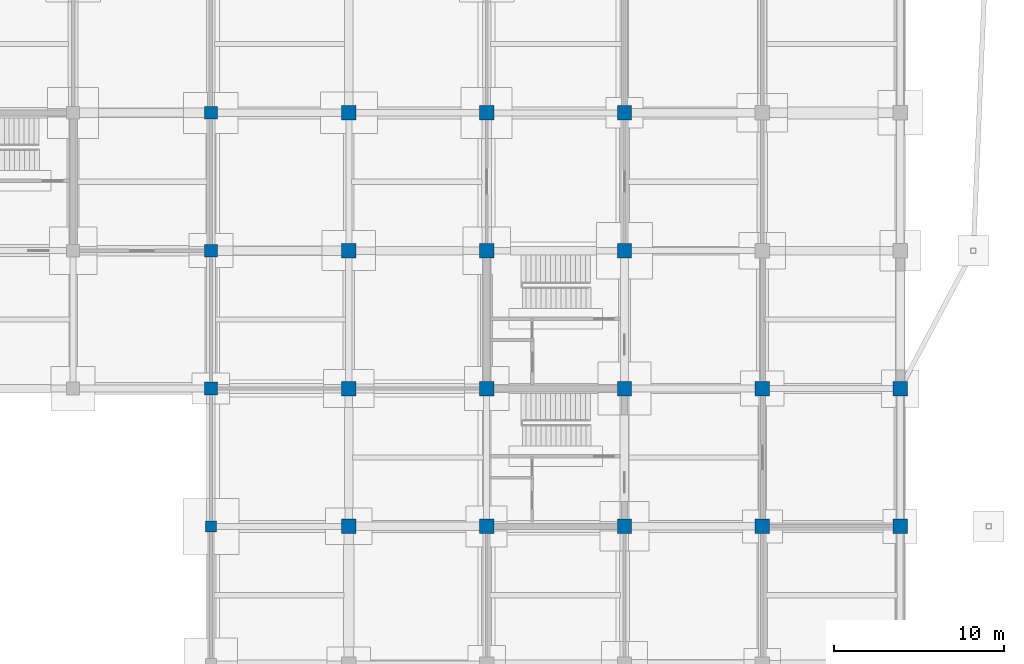
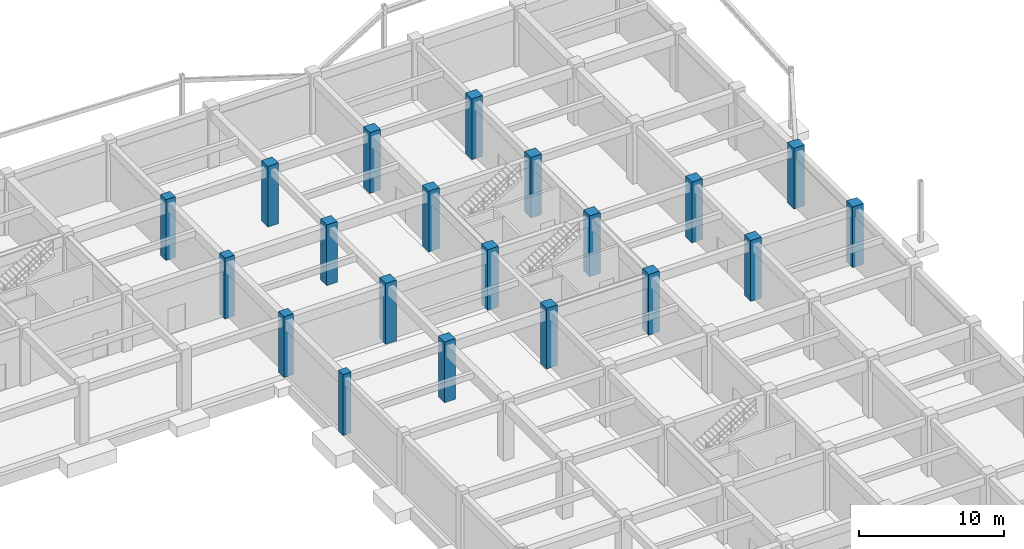
# One storey, part 27 of 67: 20 columns.
"""IFC4 building model written with IfcOpenShell, lengths in metres."""

from ifc_helpers import new_model, si_unit, direction, frame, origin, origin_2d, place, context, subcontext, project, spatial, rectangle, extrude, material, material_profile, profile_set, type_object, element, save


model = new_model("IFC4")

# Units and contexts
model_context = context("Model", 3, precision=1e-05, world=origin(), true_north=direction((0.0, 1.0)))
body_context = subcontext(model_context, "Body", "Model", "MODEL_VIEW")
ifc_project = project(units=[si_unit("LENGTHUNIT", "METRE"), si_unit("AREAUNIT", "SQUARE_METRE"), si_unit("VOLUMEUNIT", "CUBIC_METRE"), si_unit("PLANEANGLEUNIT", "RADIAN"), si_unit("MASSUNIT", "GRAM", prefix="KILO")], contexts=[model_context])

# Site, building, storey
site_placement = place(None, origin())
site = spatial("IfcSite", under=ifc_project, at=site_placement, CompositionType="ELEMENT")
building_placement = place(site_placement, origin())
building = spatial("IfcBuilding", under=site, at=building_placement, Name="Vaudrelin Polytechnic", CompositionType="ELEMENT")
storey_placement = place(building_placement, frame((0.0, 0.0, -5.10009765625)))
storey = spatial("IfcBuildingStorey", under=building, at=storey_placement, Name="B1", CompositionType="ELEMENT", Elevation=-5.10009765625)

# Columns
ifc_material_1 = material(Name="Concrete 40 MPa", Category="concrete")
ifc_material_profile_1 = material_profile(ifc_material_1, rectangle(XDim=0.64990234375, YDim=0.64990234375, at=origin_2d()), Name="RC650x650")
ifc_profile_set_1 = profile_set([ifc_material_profile_1], Name="Concrete 40 MPa")
column_type_1 = type_object("IfcColumnType", Name="COL-C-RC650", PredefinedType="COLUMN", material=ifc_profile_set_1)
column_placement = place(storey_placement, frame((129.60009765625, 89.10009765625, 0.0), z_axis=(0.0, 0.0, 1.0), x_axis=(1.0, 0.0, 0.0)))
element("IfcColumn", 1, at=column_placement, inside=storey, type_object=column_type_1, Name="Column B1 17-12", PredefinedType="COLUMN", context=body_context, shape_type="SweptSolid", body=[
    extrude(rectangle(XDim=0.64990234375, YDim=0.64990234375, at=origin_2d()), origin(), (0.0, 0.0, 1.0), 5.10009765625),
])
ifc_material_2 = material(Name="Concrete 50 MPa", Category="concrete")
ifc_material_profile_2 = material_profile(ifc_material_2, rectangle(XDim=0.75, YDim=0.75, at=origin_2d()), Name="RC750x750")
ifc_profile_set_2 = profile_set([ifc_material_profile_2], Name="Concrete 50 MPa")
column_type_2 = type_object("IfcColumnType", Name="COL-C-RC750", PredefinedType="COLUMN", material=ifc_profile_set_2)
for number, where, z_axis, x_axis, name in (
    (2, (129.60009765625, 97.199951171875, 0.0), (0.0, 0.0, 1.0), (1.0, 0.0, 0.0), "Column B1 17-13"),
    (3, (129.60009765625, 105.300048828125, 0.0), (0.0, 0.0, 1.0), (1.0, 0.0, 0.0), "Column B1 17-14"),
    (4, (129.60009765625, 113.39990234375, 0.0), (0.0, 0.0, 1.0), (1.0, 0.0, 0.0), "Column B1 17-15"),
):
    element("IfcColumn", number, at=place(storey_placement, frame(where, z_axis=z_axis, x_axis=x_axis)), inside=storey, type_object=column_type_2, Name=name, PredefinedType="COLUMN", context=body_context, shape_type="SweptSolid", body=[
        extrude(rectangle(XDim=0.75, YDim=0.75, at=origin_2d()), origin(), (0.0, 0.0, 1.0), 5.10009765625),
    ])
ifc_material_profile_3 = material_profile(ifc_material_2, rectangle(XDim=0.85009765625, YDim=0.85009765625, at=origin_2d()), Name="RC850x850")
ifc_profile_set_3 = profile_set([ifc_material_profile_3], Name="Concrete 50 MPa")
column_type_3 = type_object("IfcColumnType", Name="COL-C-RC850", PredefinedType="COLUMN", material=ifc_profile_set_3)
for number, where, z_axis, x_axis, name in (
    (5, (137.699951171875, 89.10009765625, 0.0), (0.0, 0.0, 1.0), (1.0, 0.0, 0.0), "Column B1 18-12"),
    (6, (137.699951171875, 97.199951171875, 0.0), (0.0, 0.0, 1.0), (1.0, 0.0, 0.0), "Column B1 18-13"),
    (7, (137.699951171875, 105.300048828125, 0.0), (0.0, 0.0, 1.0), (1.0, 0.0, 0.0), "Column B1 18-14"),
    (8, (137.699951171875, 113.39990234375, 0.0), (0.0, 0.0, 1.0), (1.0, 0.0, 0.0), "Column B1 18-15"),
    (9, (145.800048828125, 89.10009765625, 0.0), (0.0, 0.0, 1.0), (1.0, 0.0, 0.0), "Column B1 19-12"),
    (10, (145.800048828125, 97.199951171875, 0.0), (0.0, 0.0, 1.0), (1.0, 0.0, 0.0), "Column B1 19-13"),
    (11, (145.800048828125, 105.300048828125, 0.0), (0.0, 0.0, 1.0), (1.0, 0.0, 0.0), "Column B1 19-14"),
    (12, (145.800048828125, 113.39990234375, 0.0), (0.0, 0.0, 1.0), (1.0, 0.0, 0.0), "Column B1 19-15"),
    (13, (153.89990234375, 89.10009765625, 0.0), (0.0, 0.0, 1.0), (1.0, 0.0, 0.0), "Column B1 20-12"),
    (14, (153.89990234375, 97.199951171875, 0.0), (0.0, 0.0, 1.0), (1.0, 0.0, 0.0), "Column B1 20-13"),
    (15, (153.89990234375, 105.300048828125, 0.0), (0.0, 0.0, 1.0), (1.0, 0.0, 0.0), "Column B1 20-14"),
    (16, (153.89990234375, 113.39990234375, 0.0), (0.0, 0.0, 1.0), (1.0, 0.0, 0.0), "Column B1 20-15"),
    (17, (162.0, 89.10009765625, 0.0), (0.0, 0.0, 1.0), (1.0, 0.0, 0.0), "Column B1 21-12"),
    (18, (162.0, 97.199951171875, 0.0), (0.0, 0.0, 1.0), (1.0, 0.0, 0.0), "Column B1 21-13"),
    (19, (170.10009765625, 89.10009765625, 0.0), (0.0, 0.0, 1.0), (1.0, 0.0, 0.0), "Column B1 22-12"),
    (20, (170.10009765625, 97.199951171875, 0.0), (0.0, 0.0, 1.0), (1.0, 0.0, 0.0), "Column B1 22-13"),
):
    element("IfcColumn", number, at=place(storey_placement, frame(where, z_axis=z_axis, x_axis=x_axis)), inside=storey, type_object=column_type_3, Name=name, PredefinedType="COLUMN", context=body_context, shape_type="SweptSolid", body=[
        extrude(rectangle(XDim=0.85009765625, YDim=0.85009765625, at=origin_2d()), origin(), (0.0, 0.0, 1.0), 5.10009765625),
    ])

save(model, "model.ifc")
